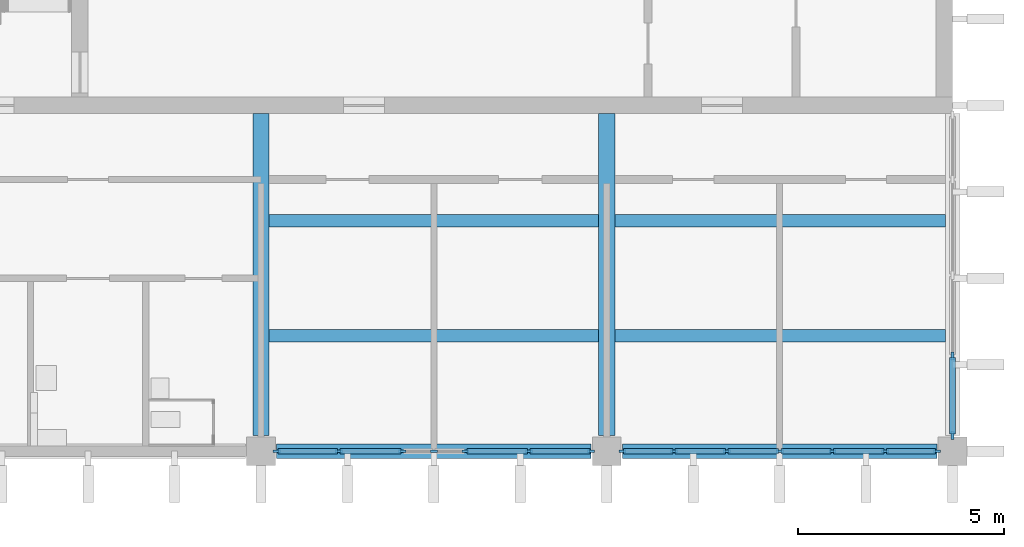
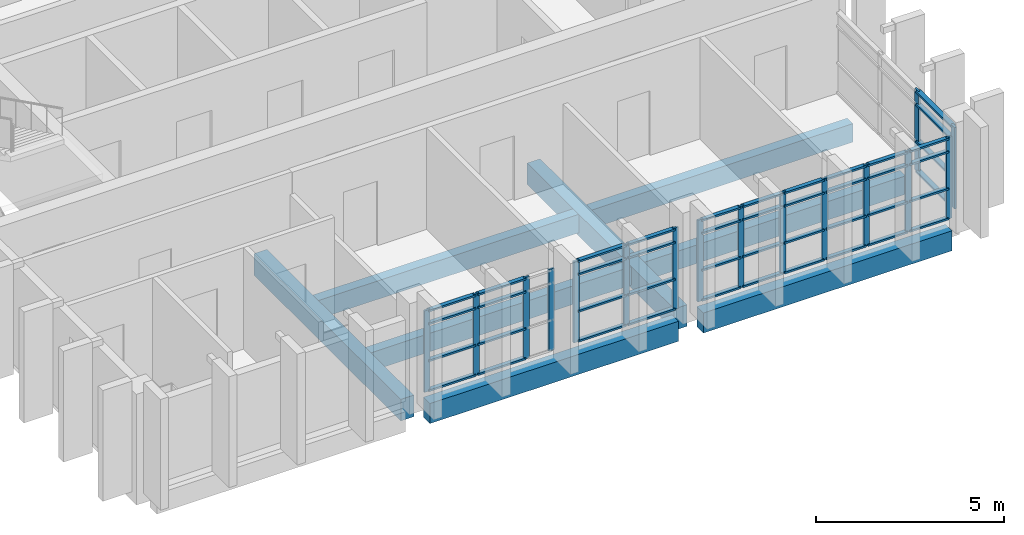
# One storey, part 2 of 11: 60 members, 8 beams, 3 elements without a shape of their own.
"""IFC4 building model written with IfcOpenShell, lengths in metres."""

from ifc_helpers import new_model, si_unit, direction, frame, origin, origin_2d, place, context, subcontext, project, spatial, rectangle, extrude, material, layer, layer_set, material_profile, profile_set, type_object, element, aggregate, save


model = new_model("IFC4")

# Units and contexts
model_context = context("Model", 3, precision=1e-05, world=origin(), true_north=direction((0.0, 1.0)))
body_context = subcontext(model_context, "Body", "Model", "MODEL_VIEW")
ifc_project = project(units=[si_unit("LENGTHUNIT", "METRE"), si_unit("AREAUNIT", "SQUARE_METRE"), si_unit("VOLUMEUNIT", "CUBIC_METRE"), si_unit("PLANEANGLEUNIT", "RADIAN"), si_unit("MASSUNIT", "GRAM", prefix="KILO")], contexts=[model_context])

# Site, building, storey
site_placement = place(None, origin())
site = spatial("IfcSite", under=ifc_project, at=site_placement, CompositionType="ELEMENT")
building_placement = place(site_placement, origin())
building = spatial("IfcBuilding", under=site, at=building_placement, Name="Rulbaag Community and Learning Centre", CompositionType="ELEMENT")
storey_placement = place(building_placement, frame((0.0, 0.0, 50.39990234375)))
storey = spatial("IfcBuildingStorey", under=building, at=storey_placement, Name="L13", CompositionType="ELEMENT", Elevation=50.39990234375)

# Beams
ifc_material_1 = material(Name="Concrete M40", Category="concrete")
ifc_material_profile_1 = material_profile(ifc_material_1, rectangle(XDim=0.39990234375, YDim=0.699951171875, at=origin_2d()), Name="RB400x700")
ifc_profile_set_1 = profile_set([ifc_material_profile_1], Name="Concrete M40")
beam_type_1 = type_object("IfcBeamType", Name="B13 Tower floor beam, upper zone 400x700 Concrete M40", PredefinedType="BEAM", material=ifc_profile_set_1)
for number, where, z_axis, x_axis, name in (
    (1, (151.199951171875, 84.3798828125, -0.64990234375), (0.0, 1.0, 0.0), (-1.0, 0.0, 0.0), "BM-L13-19K-19L"),
    (2, (159.60009765625, 84.3798828125, -0.64990234375), (0.0, 1.0, 0.0), (-1.0, 0.0, 0.0), "BM-L13-20K-20L"),
):
    element("IfcBeam", number, at=place(storey_placement, frame(where, z_axis=z_axis, x_axis=x_axis)), inside=storey, type_object=beam_type_1, Name=name, PredefinedType="BEAM", context=body_context, shape_type="SweptSolid", body=[
        extrude(rectangle(XDim=0.39990234375, YDim=0.699951171875, at=origin_2d()), origin(), (0.0, 0.0, 1.0), 7.820068359375),
    ])
ifc_material_profile_2 = material_profile(ifc_material_1, rectangle(XDim=0.35009765625, YDim=0.64990234375, at=origin_2d()), Name="RB350x650")
ifc_profile_set_2 = profile_set([ifc_material_profile_2], Name="Concrete M40")
beam_type_2 = type_object("IfcBeamType", Name="B14 Tower edge beam, upper zone 350x650 Concrete M40", PredefinedType="BEAM", material=ifc_profile_set_2)
beam_1_placement = place(storey_placement, frame((151.580078125, 84.0, -0.625), z_axis=(1.0, 0.0, 0.0), x_axis=(0.0, 1.0, 0.0)))
element("IfcBeam", 3, at=beam_1_placement, inside=storey, type_object=beam_type_2, Name="BM-L13-19K-20K", PredefinedType="BEAM", context=body_context, shape_type="SweptSolid", body=[
    extrude(rectangle(XDim=0.35009765625, YDim=0.64990234375, at=origin_2d()), origin(), (0.0, 0.0, 1.0), 7.639892578125),
])
beam_2_placement = place(storey_placement, frame((159.97998046875, 84.0, -0.625), z_axis=(1.0, 0.0, 0.0), x_axis=(0.0, 1.0, 0.0)))
element("IfcBeam", 4, at=beam_2_placement, inside=storey, type_object=beam_type_2, Name="BM-L13-20K-21K", PredefinedType="BEAM", context=body_context, shape_type="SweptSolid", body=[
    extrude(rectangle(XDim=0.35009765625, YDim=0.64990234375, at=origin_2d()), origin(), (0.0, 0.0, 1.0), 7.64013671875),
])
ifc_material_profile_3 = material_profile(ifc_material_1, rectangle(XDim=0.300048828125, YDim=0.60009765625, at=origin_2d()), Name="RB300x600")
ifc_profile_set_3 = profile_set([ifc_material_profile_3], Name="Concrete M40")
beam_type_3 = type_object("IfcBeamType", Name="B30 Secondary joist 300x600 Concrete M40", PredefinedType="BEAM", material=ifc_profile_set_3)
for number, where, z_axis, x_axis, name in (
    (5, (151.39990234375, 86.800048828125, -0.599853515625), (1.0, 0.0, 0.0), (0.0, 1.0, 0.0), "BM-JS-L13-19K-1"),
    (6, (151.39990234375, 89.60009765625, -0.599853515625), (1.0, 0.0, 0.0), (0.0, 1.0, 0.0), "BM-JS-L13-19K-2"),
):
    element("IfcBeam", number, at=place(storey_placement, frame(where, z_axis=z_axis, x_axis=x_axis)), inside=storey, type_object=beam_type_3, Name=name, PredefinedType="BEAM", context=body_context, shape_type="SweptSolid", body=[
        extrude(rectangle(XDim=0.300048828125, YDim=0.60009765625, at=origin_2d()), origin(), (0.0, 0.0, 1.0), 8.0),
    ])
for number, where, z_axis, x_axis, name in (
    (7, (159.800048828125, 86.800048828125, -0.599853515625), (1.0, 0.0, 0.0), (0.0, 1.0, 0.0), "BM-JS-L13-20K-1"),
    (8, (159.800048828125, 89.60009765625, -0.599853515625), (1.0, 0.0, 0.0), (0.0, 1.0, 0.0), "BM-JS-L13-20K-2"),
):
    element("IfcBeam", number, at=place(storey_placement, frame(where, z_axis=z_axis, x_axis=x_axis)), inside=storey, type_object=beam_type_3, Name=name, PredefinedType="BEAM", context=body_context, shape_type="SweptSolid", body=[
        extrude(rectangle(XDim=0.300048828125, YDim=0.60009765625, at=origin_2d()), origin(), (0.0, 0.0, 1.0), 8.02490234375),
    ])

# Curtain wall, members
ifc_material_2 = material(Name="Aluminium", Category="aluminium")
ifc_layer_1 = layer(ifc_material_2, 0.14990234375)
ifc_layer_set_1 = layer_set([ifc_layer_1], Name="CW-S")
curtain_wall_type_1 = type_object("IfcCurtainWallType", Name="CW-S", PredefinedType="USERDEFINED", material=ifc_layer_set_1)
curtain_wall_1_placement = place(storey_placement, origin())
curtain_wall_1 = element("IfcCurtainWall", 9, at=curtain_wall_1_placement, inside=storey, type_object=curtain_wall_type_1, Name="GS-L13-01", ObjectType="UNITISED CURTAIN WALL", PredefinedType="USERDEFINED")
ifc_material_3 = material(Name="Aluminium mullion", Category="aluminium")
ifc_material_profile_4 = material_profile(ifc_material_3, rectangle(XDim=0.06005859375, YDim=0.175048828125, at=origin_2d()), Name="AL 60x175")
ifc_profile_set_4 = profile_set([ifc_material_profile_4], Name="Aluminium mullion")
member_type_1 = type_object("IfcMemberType", Name="CW-S-MUL", PredefinedType="MULLION", material=ifc_profile_set_4)
member_1_placement = place(storey_placement, frame((151.580078125, 84.0, 0.0), z_axis=(0.0, 0.0, 1.0), x_axis=(0.0, 1.0, 0.0)))
member_1 = element("IfcMember", 10, at=member_1_placement, type_object=member_type_1, Name="GS mullion 1", PredefinedType="MULLION", context=body_context, shape_type="SweptSolid", body=[
    extrude(rectangle(XDim=0.06005859375, YDim=0.175048828125, at=origin_2d()), origin(), (0.0, 0.0, 1.0), 2.650146484375),
])
member_2_placement = place(storey_placement, frame((153.090087890625, 84.0, 0.0), z_axis=(0.0, 0.0, 1.0), x_axis=(0.0, 1.0, 0.0)))
member_2 = element("IfcMember", 11, at=member_2_placement, type_object=member_type_1, Name="GS mullion 2", PredefinedType="MULLION", context=body_context, shape_type="SweptSolid", body=[
    extrude(rectangle(XDim=0.06005859375, YDim=0.175048828125, at=origin_2d()), origin(), (0.0, 0.0, 1.0), 2.650146484375),
])
member_3_placement = place(storey_placement, frame((154.6298828125, 84.0, 0.0), z_axis=(0.0, 0.0, 1.0), x_axis=(0.0, 1.0, 0.0)))
member_3 = element("IfcMember", 12, at=member_3_placement, type_object=member_type_1, Name="GS mullion 3", PredefinedType="MULLION", context=body_context, shape_type="SweptSolid", body=[
    extrude(rectangle(XDim=0.06005859375, YDim=0.175048828125, at=origin_2d()), origin(), (0.0, 0.0, 1.0), 2.650146484375),
])
member_4_placement = place(storey_placement, frame((155.39990234375, 84.0, 0.0), z_axis=(0.0, 0.0, 1.0), x_axis=(0.0, 1.0, 0.0)))
member_4 = element("IfcMember", 13, at=member_4_placement, type_object=member_type_1, Name="GS mullion 4", PredefinedType="MULLION", context=body_context, shape_type="SweptSolid", body=[
    extrude(rectangle(XDim=0.06005859375, YDim=0.175048828125, at=origin_2d()), origin(), (0.0, 0.0, 1.0), 2.650146484375),
])
member_5_placement = place(storey_placement, frame((156.169921875, 84.0, 0.0), z_axis=(0.0, 0.0, 1.0), x_axis=(0.0, 1.0, 0.0)))
member_5 = element("IfcMember", 14, at=member_5_placement, type_object=member_type_1, Name="GS mullion 5", PredefinedType="MULLION", context=body_context, shape_type="SweptSolid", body=[
    extrude(rectangle(XDim=0.06005859375, YDim=0.175048828125, at=origin_2d()), origin(), (0.0, 0.0, 1.0), 2.650146484375),
])
member_6_placement = place(storey_placement, frame((157.7099609375, 84.0, 0.0), z_axis=(0.0, 0.0, 1.0), x_axis=(0.0, 1.0, 0.0)))
member_6 = element("IfcMember", 15, at=member_6_placement, type_object=member_type_1, Name="GS mullion 6", PredefinedType="MULLION", context=body_context, shape_type="SweptSolid", body=[
    extrude(rectangle(XDim=0.06005859375, YDim=0.175048828125, at=origin_2d()), origin(), (0.0, 0.0, 1.0), 2.650146484375),
])
member_7_placement = place(storey_placement, frame((159.219970703125, 84.0, 0.0), z_axis=(0.0, 0.0, 1.0), x_axis=(0.0, 1.0, 0.0)))
member_7 = element("IfcMember", 16, at=member_7_placement, type_object=member_type_1, Name="GS mullion 7", PredefinedType="MULLION", context=body_context, shape_type="SweptSolid", body=[
    extrude(rectangle(XDim=0.06005859375, YDim=0.175048828125, at=origin_2d()), origin(), (0.0, 0.0, 1.0), 2.650146484375),
])

curtain_wall_2_placement = place(storey_placement, origin())
curtain_wall_2 = element("IfcCurtainWall", 17, at=curtain_wall_2_placement, inside=storey, type_object=curtain_wall_type_1, Name="GS-L13-02", ObjectType="UNITISED CURTAIN WALL", PredefinedType="USERDEFINED")
member_8_placement = place(storey_placement, frame((159.97998046875, 84.0, 0.0), z_axis=(0.0, 0.0, 1.0), x_axis=(0.0, 1.0, 0.0)))
member_8 = element("IfcMember", 18, at=member_8_placement, type_object=member_type_1, Name="GS mullion 1", PredefinedType="MULLION", context=body_context, shape_type="SweptSolid", body=[
    extrude(rectangle(XDim=0.06005859375, YDim=0.175048828125, at=origin_2d()), origin(), (0.0, 0.0, 1.0), 2.650146484375),
])
member_9_placement = place(storey_placement, frame((161.2333984375, 84.0, 0.0), z_axis=(0.0, 0.0, 1.0), x_axis=(0.0, 1.0, 0.0)))
member_9 = element("IfcMember", 19, at=member_9_placement, type_object=member_type_1, Name="GS mullion 2", PredefinedType="MULLION", context=body_context, shape_type="SweptSolid", body=[
    extrude(rectangle(XDim=0.06005859375, YDim=0.175048828125, at=origin_2d()), origin(), (0.0, 0.0, 1.0), 2.650146484375),
])
member_10_placement = place(storey_placement, frame((162.5166015625, 84.0, 0.0), z_axis=(0.0, 0.0, 1.0), x_axis=(0.0, 1.0, 0.0)))
member_10 = element("IfcMember", 20, at=member_10_placement, type_object=member_type_1, Name="GS mullion 3", PredefinedType="MULLION", context=body_context, shape_type="SweptSolid", body=[
    extrude(rectangle(XDim=0.06005859375, YDim=0.175048828125, at=origin_2d()), origin(), (0.0, 0.0, 1.0), 2.650146484375),
])
member_11_placement = place(storey_placement, frame((163.800048828125, 84.0, 0.0), z_axis=(0.0, 0.0, 1.0), x_axis=(0.0, 1.0, 0.0)))
member_11 = element("IfcMember", 21, at=member_11_placement, type_object=member_type_1, Name="GS mullion 4", PredefinedType="MULLION", context=body_context, shape_type="SweptSolid", body=[
    extrude(rectangle(XDim=0.06005859375, YDim=0.175048828125, at=origin_2d()), origin(), (0.0, 0.0, 1.0), 2.650146484375),
])
member_12_placement = place(storey_placement, frame((165.083251953125, 84.0, 0.0), z_axis=(0.0, 0.0, 1.0), x_axis=(0.0, 1.0, 0.0)))
member_12 = element("IfcMember", 22, at=member_12_placement, type_object=member_type_1, Name="GS mullion 5", PredefinedType="MULLION", context=body_context, shape_type="SweptSolid", body=[
    extrude(rectangle(XDim=0.06005859375, YDim=0.175048828125, at=origin_2d()), origin(), (0.0, 0.0, 1.0), 2.650146484375),
])
member_13_placement = place(storey_placement, frame((166.36669921875, 84.0, 0.0), z_axis=(0.0, 0.0, 1.0), x_axis=(0.0, 1.0, 0.0)))
member_13 = element("IfcMember", 23, at=member_13_placement, type_object=member_type_1, Name="GS mullion 6", PredefinedType="MULLION", context=body_context, shape_type="SweptSolid", body=[
    extrude(rectangle(XDim=0.06005859375, YDim=0.175048828125, at=origin_2d()), origin(), (0.0, 0.0, 1.0), 2.650146484375),
])
member_14_placement = place(storey_placement, frame((167.6201171875, 84.0, 0.0), z_axis=(0.0, 0.0, 1.0), x_axis=(0.0, 1.0, 0.0)))
member_14 = element("IfcMember", 24, at=member_14_placement, type_object=member_type_1, Name="GS mullion 7", PredefinedType="MULLION", context=body_context, shape_type="SweptSolid", body=[
    extrude(rectangle(XDim=0.06005859375, YDim=0.175048828125, at=origin_2d()), origin(), (0.0, 0.0, 1.0), 2.650146484375),
])

# Member
ifc_material_4 = material(Name="Aluminium transom", Category="aluminium")
ifc_material_profile_5 = material_profile(ifc_material_4, rectangle(XDim=0.125, YDim=0.06005859375, at=origin_2d()), Name="AL 60x125 T")
ifc_profile_set_5 = profile_set([ifc_material_profile_5], Name="Aluminium transom")
member_type_2 = type_object("IfcMemberType", Name="CW-S-TRN", PredefinedType="USERDEFINED", material=ifc_profile_set_5)
member_15_placement = place(storey_placement, frame((151.610107421875, 84.0, 0.030029296875), z_axis=(1.0, 0.0, 0.0), x_axis=(0.0, 1.0, 0.0)))
member_15 = element("IfcMember", 25, at=member_15_placement, type_object=member_type_2, Name="GS transom 1.1", ObjectType="TRANSOM", PredefinedType="USERDEFINED", context=body_context, shape_type="SweptSolid", body=[
    extrude(rectangle(XDim=0.125, YDim=0.06005859375, at=origin_2d()), origin(), (0.0, 0.0, 1.0), 1.449951171875),
])

member_16_placement = place(storey_placement, frame((151.610107421875, 84.0, 1.0), z_axis=(1.0, 0.0, 0.0), x_axis=(0.0, 1.0, 0.0)))
member_16 = element("IfcMember", 26, at=member_16_placement, type_object=member_type_2, Name="GS transom 1.2", ObjectType="TRANSOM", PredefinedType="USERDEFINED", context=body_context, shape_type="SweptSolid", body=[
    extrude(rectangle(XDim=0.125, YDim=0.06005859375, at=origin_2d()), origin(), (0.0, 0.0, 1.0), 1.449951171875),
])

member_17_placement = place(storey_placement, frame((151.610107421875, 84.0, 2.2001953125), z_axis=(1.0, 0.0, 0.0), x_axis=(0.0, 1.0, 0.0)))
member_17 = element("IfcMember", 27, at=member_17_placement, type_object=member_type_2, Name="GS transom 1.3", ObjectType="TRANSOM", PredefinedType="USERDEFINED", context=body_context, shape_type="SweptSolid", body=[
    extrude(rectangle(XDim=0.125, YDim=0.06005859375, at=origin_2d()), origin(), (0.0, 0.0, 1.0), 1.449951171875),
])

member_18_placement = place(storey_placement, frame((151.610107421875, 84.0, 2.6201171875), z_axis=(1.0, 0.0, 0.0), x_axis=(0.0, 1.0, 0.0)))
member_18 = element("IfcMember", 28, at=member_18_placement, type_object=member_type_2, Name="GS transom 1.4", ObjectType="TRANSOM", PredefinedType="USERDEFINED", context=body_context, shape_type="SweptSolid", body=[
    extrude(rectangle(XDim=0.125, YDim=0.06005859375, at=origin_2d()), origin(), (0.0, 0.0, 1.0), 1.449951171875),
])

member_19_placement = place(storey_placement, frame((153.1201171875, 84.0, 0.030029296875), z_axis=(1.0, 0.0, 0.0), x_axis=(0.0, 1.0, 0.0)))
member_19 = element("IfcMember", 29, at=member_19_placement, type_object=member_type_2, Name="GS transom 2.1", ObjectType="TRANSOM", PredefinedType="USERDEFINED", context=body_context, shape_type="SweptSolid", body=[
    extrude(rectangle(XDim=0.125, YDim=0.06005859375, at=origin_2d()), origin(), (0.0, 0.0, 1.0), 1.47998046875),
])

member_20_placement = place(storey_placement, frame((153.1201171875, 84.0, 1.0), z_axis=(1.0, 0.0, 0.0), x_axis=(0.0, 1.0, 0.0)))
member_20 = element("IfcMember", 30, at=member_20_placement, type_object=member_type_2, Name="GS transom 2.2", ObjectType="TRANSOM", PredefinedType="USERDEFINED", context=body_context, shape_type="SweptSolid", body=[
    extrude(rectangle(XDim=0.125, YDim=0.06005859375, at=origin_2d()), origin(), (0.0, 0.0, 1.0), 1.47998046875),
])

member_21_placement = place(storey_placement, frame((153.1201171875, 84.0, 2.2001953125), z_axis=(1.0, 0.0, 0.0), x_axis=(0.0, 1.0, 0.0)))
member_21 = element("IfcMember", 31, at=member_21_placement, type_object=member_type_2, Name="GS transom 2.3", ObjectType="TRANSOM", PredefinedType="USERDEFINED", context=body_context, shape_type="SweptSolid", body=[
    extrude(rectangle(XDim=0.125, YDim=0.06005859375, at=origin_2d()), origin(), (0.0, 0.0, 1.0), 1.47998046875),
])

member_22_placement = place(storey_placement, frame((153.1201171875, 84.0, 2.6201171875), z_axis=(1.0, 0.0, 0.0), x_axis=(0.0, 1.0, 0.0)))
member_22 = element("IfcMember", 32, at=member_22_placement, type_object=member_type_2, Name="GS transom 2.4", ObjectType="TRANSOM", PredefinedType="USERDEFINED", context=body_context, shape_type="SweptSolid", body=[
    extrude(rectangle(XDim=0.125, YDim=0.06005859375, at=origin_2d()), origin(), (0.0, 0.0, 1.0), 1.47998046875),
])

member_23_placement = place(storey_placement, frame((156.199951171875, 84.0, 0.030029296875), z_axis=(1.0, 0.0, 0.0), x_axis=(0.0, 1.0, 0.0)))
member_23 = element("IfcMember", 33, at=member_23_placement, type_object=member_type_2, Name="GS transom 5.1", ObjectType="TRANSOM", PredefinedType="USERDEFINED", context=body_context, shape_type="SweptSolid", body=[
    extrude(rectangle(XDim=0.125, YDim=0.06005859375, at=origin_2d()), origin(), (0.0, 0.0, 1.0), 1.47998046875),
])

member_24_placement = place(storey_placement, frame((156.199951171875, 84.0, 1.0), z_axis=(1.0, 0.0, 0.0), x_axis=(0.0, 1.0, 0.0)))
member_24 = element("IfcMember", 34, at=member_24_placement, type_object=member_type_2, Name="GS transom 5.2", ObjectType="TRANSOM", PredefinedType="USERDEFINED", context=body_context, shape_type="SweptSolid", body=[
    extrude(rectangle(XDim=0.125, YDim=0.06005859375, at=origin_2d()), origin(), (0.0, 0.0, 1.0), 1.47998046875),
])

member_25_placement = place(storey_placement, frame((156.199951171875, 84.0, 2.2001953125), z_axis=(1.0, 0.0, 0.0), x_axis=(0.0, 1.0, 0.0)))
member_25 = element("IfcMember", 35, at=member_25_placement, type_object=member_type_2, Name="GS transom 5.3", ObjectType="TRANSOM", PredefinedType="USERDEFINED", context=body_context, shape_type="SweptSolid", body=[
    extrude(rectangle(XDim=0.125, YDim=0.06005859375, at=origin_2d()), origin(), (0.0, 0.0, 1.0), 1.47998046875),
])

member_26_placement = place(storey_placement, frame((156.199951171875, 84.0, 2.6201171875), z_axis=(1.0, 0.0, 0.0), x_axis=(0.0, 1.0, 0.0)))
member_26 = element("IfcMember", 36, at=member_26_placement, type_object=member_type_2, Name="GS transom 5.4", ObjectType="TRANSOM", PredefinedType="USERDEFINED", context=body_context, shape_type="SweptSolid", body=[
    extrude(rectangle(XDim=0.125, YDim=0.06005859375, at=origin_2d()), origin(), (0.0, 0.0, 1.0), 1.47998046875),
])

member_27_placement = place(storey_placement, frame((157.739990234375, 84.0, 0.030029296875), z_axis=(1.0, 0.0, 0.0), x_axis=(0.0, 1.0, 0.0)))
member_27 = element("IfcMember", 37, at=member_27_placement, type_object=member_type_2, Name="GS transom 6.1", ObjectType="TRANSOM", PredefinedType="USERDEFINED", context=body_context, shape_type="SweptSolid", body=[
    extrude(rectangle(XDim=0.125, YDim=0.06005859375, at=origin_2d()), origin(), (0.0, 0.0, 1.0), 1.449951171875),
])

member_28_placement = place(storey_placement, frame((157.739990234375, 84.0, 1.0), z_axis=(1.0, 0.0, 0.0), x_axis=(0.0, 1.0, 0.0)))
member_28 = element("IfcMember", 38, at=member_28_placement, type_object=member_type_2, Name="GS transom 6.2", ObjectType="TRANSOM", PredefinedType="USERDEFINED", context=body_context, shape_type="SweptSolid", body=[
    extrude(rectangle(XDim=0.125, YDim=0.06005859375, at=origin_2d()), origin(), (0.0, 0.0, 1.0), 1.449951171875),
])

member_29_placement = place(storey_placement, frame((157.739990234375, 84.0, 2.2001953125), z_axis=(1.0, 0.0, 0.0), x_axis=(0.0, 1.0, 0.0)))
member_29 = element("IfcMember", 39, at=member_29_placement, type_object=member_type_2, Name="GS transom 6.3", ObjectType="TRANSOM", PredefinedType="USERDEFINED", context=body_context, shape_type="SweptSolid", body=[
    extrude(rectangle(XDim=0.125, YDim=0.06005859375, at=origin_2d()), origin(), (0.0, 0.0, 1.0), 1.449951171875),
])

member_30_placement = place(storey_placement, frame((157.739990234375, 84.0, 2.6201171875), z_axis=(1.0, 0.0, 0.0), x_axis=(0.0, 1.0, 0.0)))
member_30 = element("IfcMember", 40, at=member_30_placement, type_object=member_type_2, Name="GS transom 6.4", ObjectType="TRANSOM", PredefinedType="USERDEFINED", context=body_context, shape_type="SweptSolid", body=[
    extrude(rectangle(XDim=0.125, YDim=0.06005859375, at=origin_2d()), origin(), (0.0, 0.0, 1.0), 1.449951171875),
])

aggregate(curtain_wall_1, [member_1, member_2, member_3, member_4, member_5, member_6, member_7, member_15, member_16, member_17, member_18, member_19, member_20, member_21, member_22, member_23, member_24, member_25, member_26, member_27, member_28, member_29, member_30])

member_31_placement = place(storey_placement, frame((160.010009765625, 84.0, 0.030029296875), z_axis=(1.0, 0.0, 0.0), x_axis=(0.0, 1.0, 0.0)))
member_31 = element("IfcMember", 41, at=member_31_placement, type_object=member_type_2, Name="GS transom 1.1", ObjectType="TRANSOM", PredefinedType="USERDEFINED", context=body_context, shape_type="SweptSolid", body=[
    extrude(rectangle(XDim=0.125, YDim=0.06005859375, at=origin_2d()), origin(), (0.0, 0.0, 1.0), 1.193359375),
])

member_32_placement = place(storey_placement, frame((160.010009765625, 84.0, 1.0), z_axis=(1.0, 0.0, 0.0), x_axis=(0.0, 1.0, 0.0)))
member_32 = element("IfcMember", 42, at=member_32_placement, type_object=member_type_2, Name="GS transom 1.2", ObjectType="TRANSOM", PredefinedType="USERDEFINED", context=body_context, shape_type="SweptSolid", body=[
    extrude(rectangle(XDim=0.125, YDim=0.06005859375, at=origin_2d()), origin(), (0.0, 0.0, 1.0), 1.193359375),
])

member_33_placement = place(storey_placement, frame((160.010009765625, 84.0, 2.2001953125), z_axis=(1.0, 0.0, 0.0), x_axis=(0.0, 1.0, 0.0)))
member_33 = element("IfcMember", 43, at=member_33_placement, type_object=member_type_2, Name="GS transom 1.3", ObjectType="TRANSOM", PredefinedType="USERDEFINED", context=body_context, shape_type="SweptSolid", body=[
    extrude(rectangle(XDim=0.125, YDim=0.06005859375, at=origin_2d()), origin(), (0.0, 0.0, 1.0), 1.193359375),
])

member_34_placement = place(storey_placement, frame((160.010009765625, 84.0, 2.6201171875), z_axis=(1.0, 0.0, 0.0), x_axis=(0.0, 1.0, 0.0)))
member_34 = element("IfcMember", 44, at=member_34_placement, type_object=member_type_2, Name="GS transom 1.4", ObjectType="TRANSOM", PredefinedType="USERDEFINED", context=body_context, shape_type="SweptSolid", body=[
    extrude(rectangle(XDim=0.125, YDim=0.06005859375, at=origin_2d()), origin(), (0.0, 0.0, 1.0), 1.193359375),
])

member_35_placement = place(storey_placement, frame((161.263427734375, 84.0, 0.030029296875), z_axis=(1.0, 0.0, 0.0), x_axis=(0.0, 1.0, 0.0)))
member_35 = element("IfcMember", 45, at=member_35_placement, type_object=member_type_2, Name="GS transom 2.1", ObjectType="TRANSOM", PredefinedType="USERDEFINED", context=body_context, shape_type="SweptSolid", body=[
    extrude(rectangle(XDim=0.125, YDim=0.06005859375, at=origin_2d()), origin(), (0.0, 0.0, 1.0), 1.22314453125),
])

member_36_placement = place(storey_placement, frame((161.263427734375, 84.0, 1.0), z_axis=(1.0, 0.0, 0.0), x_axis=(0.0, 1.0, 0.0)))
member_36 = element("IfcMember", 46, at=member_36_placement, type_object=member_type_2, Name="GS transom 2.2", ObjectType="TRANSOM", PredefinedType="USERDEFINED", context=body_context, shape_type="SweptSolid", body=[
    extrude(rectangle(XDim=0.125, YDim=0.06005859375, at=origin_2d()), origin(), (0.0, 0.0, 1.0), 1.22314453125),
])

member_37_placement = place(storey_placement, frame((161.263427734375, 84.0, 2.2001953125), z_axis=(1.0, 0.0, 0.0), x_axis=(0.0, 1.0, 0.0)))
member_37 = element("IfcMember", 47, at=member_37_placement, type_object=member_type_2, Name="GS transom 2.3", ObjectType="TRANSOM", PredefinedType="USERDEFINED", context=body_context, shape_type="SweptSolid", body=[
    extrude(rectangle(XDim=0.125, YDim=0.06005859375, at=origin_2d()), origin(), (0.0, 0.0, 1.0), 1.22314453125),
])

member_38_placement = place(storey_placement, frame((161.263427734375, 84.0, 2.6201171875), z_axis=(1.0, 0.0, 0.0), x_axis=(0.0, 1.0, 0.0)))
member_38 = element("IfcMember", 48, at=member_38_placement, type_object=member_type_2, Name="GS transom 2.4", ObjectType="TRANSOM", PredefinedType="USERDEFINED", context=body_context, shape_type="SweptSolid", body=[
    extrude(rectangle(XDim=0.125, YDim=0.06005859375, at=origin_2d()), origin(), (0.0, 0.0, 1.0), 1.22314453125),
])

member_39_placement = place(storey_placement, frame((162.546630859375, 84.0, 0.030029296875), z_axis=(1.0, 0.0, 0.0), x_axis=(0.0, 1.0, 0.0)))
member_39 = element("IfcMember", 49, at=member_39_placement, type_object=member_type_2, Name="GS transom 3.1", ObjectType="TRANSOM", PredefinedType="USERDEFINED", context=body_context, shape_type="SweptSolid", body=[
    extrude(rectangle(XDim=0.125, YDim=0.06005859375, at=origin_2d()), origin(), (0.0, 0.0, 1.0), 1.223388671875),
])

member_40_placement = place(storey_placement, frame((162.546630859375, 84.0, 1.0), z_axis=(1.0, 0.0, 0.0), x_axis=(0.0, 1.0, 0.0)))
member_40 = element("IfcMember", 50, at=member_40_placement, type_object=member_type_2, Name="GS transom 3.2", ObjectType="TRANSOM", PredefinedType="USERDEFINED", context=body_context, shape_type="SweptSolid", body=[
    extrude(rectangle(XDim=0.125, YDim=0.06005859375, at=origin_2d()), origin(), (0.0, 0.0, 1.0), 1.223388671875),
])

member_41_placement = place(storey_placement, frame((162.546630859375, 84.0, 2.2001953125), z_axis=(1.0, 0.0, 0.0), x_axis=(0.0, 1.0, 0.0)))
member_41 = element("IfcMember", 51, at=member_41_placement, type_object=member_type_2, Name="GS transom 3.3", ObjectType="TRANSOM", PredefinedType="USERDEFINED", context=body_context, shape_type="SweptSolid", body=[
    extrude(rectangle(XDim=0.125, YDim=0.06005859375, at=origin_2d()), origin(), (0.0, 0.0, 1.0), 1.223388671875),
])

member_42_placement = place(storey_placement, frame((162.546630859375, 84.0, 2.6201171875), z_axis=(1.0, 0.0, 0.0), x_axis=(0.0, 1.0, 0.0)))
member_42 = element("IfcMember", 52, at=member_42_placement, type_object=member_type_2, Name="GS transom 3.4", ObjectType="TRANSOM", PredefinedType="USERDEFINED", context=body_context, shape_type="SweptSolid", body=[
    extrude(rectangle(XDim=0.125, YDim=0.06005859375, at=origin_2d()), origin(), (0.0, 0.0, 1.0), 1.223388671875),
])

member_43_placement = place(storey_placement, frame((163.830078125, 84.0, 0.030029296875), z_axis=(1.0, 0.0, 0.0), x_axis=(0.0, 1.0, 0.0)))
member_43 = element("IfcMember", 53, at=member_43_placement, type_object=member_type_2, Name="GS transom 4.1", ObjectType="TRANSOM", PredefinedType="USERDEFINED", context=body_context, shape_type="SweptSolid", body=[
    extrude(rectangle(XDim=0.125, YDim=0.06005859375, at=origin_2d()), origin(), (0.0, 0.0, 1.0), 1.22314453125),
])

member_44_placement = place(storey_placement, frame((163.830078125, 84.0, 1.0), z_axis=(1.0, 0.0, 0.0), x_axis=(0.0, 1.0, 0.0)))
member_44 = element("IfcMember", 54, at=member_44_placement, type_object=member_type_2, Name="GS transom 4.2", ObjectType="TRANSOM", PredefinedType="USERDEFINED", context=body_context, shape_type="SweptSolid", body=[
    extrude(rectangle(XDim=0.125, YDim=0.06005859375, at=origin_2d()), origin(), (0.0, 0.0, 1.0), 1.22314453125),
])

member_45_placement = place(storey_placement, frame((163.830078125, 84.0, 2.2001953125), z_axis=(1.0, 0.0, 0.0), x_axis=(0.0, 1.0, 0.0)))
member_45 = element("IfcMember", 55, at=member_45_placement, type_object=member_type_2, Name="GS transom 4.3", ObjectType="TRANSOM", PredefinedType="USERDEFINED", context=body_context, shape_type="SweptSolid", body=[
    extrude(rectangle(XDim=0.125, YDim=0.06005859375, at=origin_2d()), origin(), (0.0, 0.0, 1.0), 1.22314453125),
])

member_46_placement = place(storey_placement, frame((163.830078125, 84.0, 2.6201171875), z_axis=(1.0, 0.0, 0.0), x_axis=(0.0, 1.0, 0.0)))
member_46 = element("IfcMember", 56, at=member_46_placement, type_object=member_type_2, Name="GS transom 4.4", ObjectType="TRANSOM", PredefinedType="USERDEFINED", context=body_context, shape_type="SweptSolid", body=[
    extrude(rectangle(XDim=0.125, YDim=0.06005859375, at=origin_2d()), origin(), (0.0, 0.0, 1.0), 1.22314453125),
])

member_47_placement = place(storey_placement, frame((165.11328125, 84.0, 0.030029296875), z_axis=(1.0, 0.0, 0.0), x_axis=(0.0, 1.0, 0.0)))
member_47 = element("IfcMember", 57, at=member_47_placement, type_object=member_type_2, Name="GS transom 5.1", ObjectType="TRANSOM", PredefinedType="USERDEFINED", context=body_context, shape_type="SweptSolid", body=[
    extrude(rectangle(XDim=0.125, YDim=0.06005859375, at=origin_2d()), origin(), (0.0, 0.0, 1.0), 1.223388671875),
])

member_48_placement = place(storey_placement, frame((165.11328125, 84.0, 1.0), z_axis=(1.0, 0.0, 0.0), x_axis=(0.0, 1.0, 0.0)))
member_48 = element("IfcMember", 58, at=member_48_placement, type_object=member_type_2, Name="GS transom 5.2", ObjectType="TRANSOM", PredefinedType="USERDEFINED", context=body_context, shape_type="SweptSolid", body=[
    extrude(rectangle(XDim=0.125, YDim=0.06005859375, at=origin_2d()), origin(), (0.0, 0.0, 1.0), 1.223388671875),
])

member_49_placement = place(storey_placement, frame((165.11328125, 84.0, 2.2001953125), z_axis=(1.0, 0.0, 0.0), x_axis=(0.0, 1.0, 0.0)))
member_49 = element("IfcMember", 59, at=member_49_placement, type_object=member_type_2, Name="GS transom 5.3", ObjectType="TRANSOM", PredefinedType="USERDEFINED", context=body_context, shape_type="SweptSolid", body=[
    extrude(rectangle(XDim=0.125, YDim=0.06005859375, at=origin_2d()), origin(), (0.0, 0.0, 1.0), 1.223388671875),
])

member_50_placement = place(storey_placement, frame((165.11328125, 84.0, 2.6201171875), z_axis=(1.0, 0.0, 0.0), x_axis=(0.0, 1.0, 0.0)))
member_50 = element("IfcMember", 60, at=member_50_placement, type_object=member_type_2, Name="GS transom 5.4", ObjectType="TRANSOM", PredefinedType="USERDEFINED", context=body_context, shape_type="SweptSolid", body=[
    extrude(rectangle(XDim=0.125, YDim=0.06005859375, at=origin_2d()), origin(), (0.0, 0.0, 1.0), 1.223388671875),
])

member_51_placement = place(storey_placement, frame((166.396728515625, 84.0, 0.030029296875), z_axis=(1.0, 0.0, 0.0), x_axis=(0.0, 1.0, 0.0)))
member_51 = element("IfcMember", 61, at=member_51_placement, type_object=member_type_2, Name="GS transom 6.1", ObjectType="TRANSOM", PredefinedType="USERDEFINED", context=body_context, shape_type="SweptSolid", body=[
    extrude(rectangle(XDim=0.125, YDim=0.06005859375, at=origin_2d()), origin(), (0.0, 0.0, 1.0), 1.193359375),
])

member_52_placement = place(storey_placement, frame((166.396728515625, 84.0, 1.0), z_axis=(1.0, 0.0, 0.0), x_axis=(0.0, 1.0, 0.0)))
member_52 = element("IfcMember", 62, at=member_52_placement, type_object=member_type_2, Name="GS transom 6.2", ObjectType="TRANSOM", PredefinedType="USERDEFINED", context=body_context, shape_type="SweptSolid", body=[
    extrude(rectangle(XDim=0.125, YDim=0.06005859375, at=origin_2d()), origin(), (0.0, 0.0, 1.0), 1.193359375),
])

member_53_placement = place(storey_placement, frame((166.396728515625, 84.0, 2.2001953125), z_axis=(1.0, 0.0, 0.0), x_axis=(0.0, 1.0, 0.0)))
member_53 = element("IfcMember", 63, at=member_53_placement, type_object=member_type_2, Name="GS transom 6.3", ObjectType="TRANSOM", PredefinedType="USERDEFINED", context=body_context, shape_type="SweptSolid", body=[
    extrude(rectangle(XDim=0.125, YDim=0.06005859375, at=origin_2d()), origin(), (0.0, 0.0, 1.0), 1.193359375),
])

member_54_placement = place(storey_placement, frame((166.396728515625, 84.0, 2.6201171875), z_axis=(1.0, 0.0, 0.0), x_axis=(0.0, 1.0, 0.0)))
member_54 = element("IfcMember", 64, at=member_54_placement, type_object=member_type_2, Name="GS transom 6.4", ObjectType="TRANSOM", PredefinedType="USERDEFINED", context=body_context, shape_type="SweptSolid", body=[
    extrude(rectangle(XDim=0.125, YDim=0.06005859375, at=origin_2d()), origin(), (0.0, 0.0, 1.0), 1.193359375),
])

aggregate(curtain_wall_2, [member_8, member_9, member_10, member_11, member_12, member_13, member_14, member_31, member_32, member_33, member_34, member_35, member_36, member_37, member_38, member_39, member_40, member_41, member_42, member_43, member_44, member_45, member_46, member_47, member_48, member_49, member_50, member_51, member_52, member_53, member_54])

# Curtain wall, members
ifc_layer_2 = layer(ifc_material_2, 0.14990234375)
ifc_layer_set_2 = layer_set([ifc_layer_2], Name="CW-T")
curtain_wall_type_2 = type_object("IfcCurtainWallType", Name="CW-T", PredefinedType="USERDEFINED", material=ifc_layer_set_2)
curtain_wall_3_placement = place(storey_placement, origin())
curtain_wall_3 = element("IfcCurtainWall", 65, at=curtain_wall_3_placement, inside=storey, type_object=curtain_wall_type_2, Name="GT-L13-05", ObjectType="UNITISED CURTAIN WALL", PredefinedType="USERDEFINED")
ifc_material_profile_6 = material_profile(ifc_material_3, rectangle(XDim=0.06494140625, YDim=0.199951171875, at=origin_2d()), Name="AL 65x200")
ifc_profile_set_6 = profile_set([ifc_material_profile_6], Name="Aluminium mullion")
member_type_3 = type_object("IfcMemberType", Name="CW-T-MUL", PredefinedType="MULLION", material=ifc_profile_set_6)
member_55_placement = place(storey_placement, frame((168.0, 84.382568359375, 0.0), z_axis=(0.0, 0.0, 1.0), x_axis=(-1.0, 0.0, 0.0)))
member_55 = element("IfcMember", 66, at=member_55_placement, type_object=member_type_3, Name="GT mullion 1", PredefinedType="MULLION", context=body_context, shape_type="SweptSolid", body=[
    extrude(rectangle(XDim=0.06494140625, YDim=0.199951171875, at=origin_2d()), origin(), (0.0, 0.0, 1.0), 2.650146484375),
])
member_56_placement = place(storey_placement, frame((168.0, 86.3125, 0.0), z_axis=(0.0, 0.0, 1.0), x_axis=(-1.0, 0.0, 0.0)))
member_56 = element("IfcMember", 67, at=member_56_placement, type_object=member_type_3, Name="GT mullion 2", PredefinedType="MULLION", context=body_context, shape_type="SweptSolid", body=[
    extrude(rectangle(XDim=0.06494140625, YDim=0.199951171875, at=origin_2d()), origin(), (0.0, 0.0, 1.0), 2.650146484375),
])
ifc_material_profile_7 = material_profile(ifc_material_4, rectangle(XDim=0.14990234375, YDim=0.06494140625, at=origin_2d()), Name="AL 65x150 T")
ifc_profile_set_7 = profile_set([ifc_material_profile_7], Name="Aluminium transom")
member_type_4 = type_object("IfcMemberType", Name="CW-T-TRN", PredefinedType="USERDEFINED", material=ifc_profile_set_7)
member_57_placement = place(storey_placement, frame((168.0, 84.4150390625, 0.03271484375), z_axis=(0.0, 1.0, 0.0), x_axis=(-1.0, 0.0, 0.0)))
member_57 = element("IfcMember", 68, at=member_57_placement, type_object=member_type_4, Name="GT transom 1.1", ObjectType="TRANSOM", PredefinedType="USERDEFINED", context=body_context, shape_type="SweptSolid", body=[
    extrude(rectangle(XDim=0.14990234375, YDim=0.06494140625, at=origin_2d()), origin(), (0.0, 0.0, 1.0), 1.864990234375),
])
member_58_placement = place(storey_placement, frame((168.0, 84.4150390625, 1.0), z_axis=(0.0, 1.0, 0.0), x_axis=(-1.0, 0.0, 0.0)))
member_58 = element("IfcMember", 69, at=member_58_placement, type_object=member_type_4, Name="GT transom 1.2", ObjectType="TRANSOM", PredefinedType="USERDEFINED", context=body_context, shape_type="SweptSolid", body=[
    extrude(rectangle(XDim=0.14990234375, YDim=0.06494140625, at=origin_2d()), origin(), (0.0, 0.0, 1.0), 1.864990234375),
])
member_59_placement = place(storey_placement, frame((168.0, 84.4150390625, 2.2001953125), z_axis=(0.0, 1.0, 0.0), x_axis=(-1.0, 0.0, 0.0)))
member_59 = element("IfcMember", 70, at=member_59_placement, type_object=member_type_4, Name="GT transom 1.3", ObjectType="TRANSOM", PredefinedType="USERDEFINED", context=body_context, shape_type="SweptSolid", body=[
    extrude(rectangle(XDim=0.14990234375, YDim=0.06494140625, at=origin_2d()), origin(), (0.0, 0.0, 1.0), 1.864990234375),
])
member_60_placement = place(storey_placement, frame((168.0, 84.4150390625, 2.61767578125), z_axis=(0.0, 1.0, 0.0), x_axis=(-1.0, 0.0, 0.0)))
member_60 = element("IfcMember", 71, at=member_60_placement, type_object=member_type_4, Name="GT transom 1.4", ObjectType="TRANSOM", PredefinedType="USERDEFINED", context=body_context, shape_type="SweptSolid", body=[
    extrude(rectangle(XDim=0.14990234375, YDim=0.06494140625, at=origin_2d()), origin(), (0.0, 0.0, 1.0), 1.864990234375),
])
aggregate(curtain_wall_3, [member_55, member_56, member_57, member_58, member_59, member_60])

save(model, "model.ifc")
